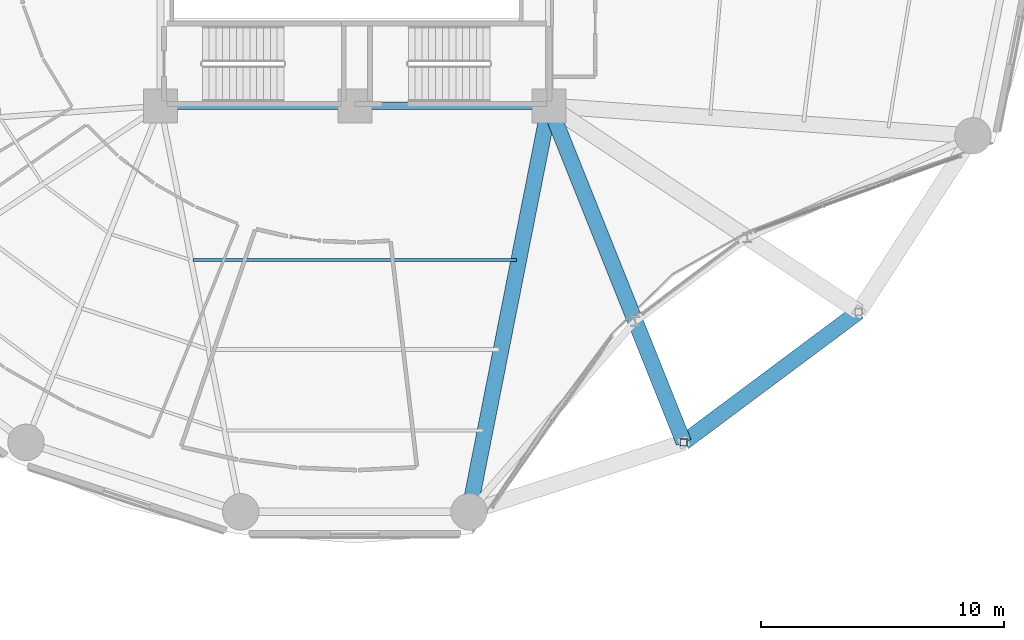
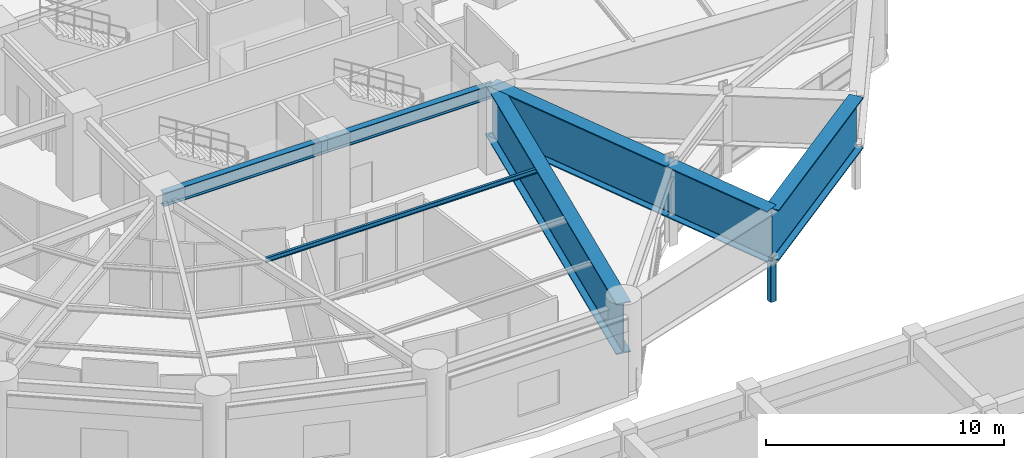
# One storey, part 21 of 53: 7 beams, 1 member.
"""IFC4 building model written with IfcOpenShell, lengths in metres."""

import ifcopenshell
import ifcopenshell.guid

model = None  # the IFC model being written
_history = None  # IfcOwnerHistory: only IFC2X3 demands one
_inside = {}  # id of a spatial element -> (the spatial element, [elements in it])
_under = {}  # id of a project, library or spatial element -> (it, [spatial elements below it])
_declared = {}  # id of a project -> (the project, [libraries it declares])
_typed = {}  # id of a type object -> (the type object, [elements of that type])
_made_of = {}  # id of a material, layer set ... -> (it, [elements and type objects made of it])


def new_model(schema):
    """Start an empty IFC model of exactly this schema.

    Asked for "IFC4X3", IfcOpenShell would pick the latest addendum, in which some entities
    have other attributes; the version numbers below select the first issue.
    IFC2X3 requires an IfcOwnerHistory on every rooted entity: one is made here for all.
    """
    global model, _history
    if schema == "IFC4X3":
        model = ifcopenshell.file(schema_version=(4, 3, 0, 0))
    else:
        model = ifcopenshell.file(schema=schema)
    _inside.clear()
    _under.clear()
    _declared.clear()
    _typed.clear()
    _made_of.clear()
    _history = None
    if model.schema == "IFC2X3":
        org = make("IfcOrganization", Name="unknown")
        user = make(
            "IfcPersonAndOrganization",
            ThePerson=make("IfcPerson", FamilyName="unknown"),
            TheOrganization=org,
        )
        app = make(
            "IfcApplication",
            ApplicationDeveloper=org,
            Version="unknown",
            ApplicationFullName="unknown",
            ApplicationIdentifier="unknown",
        )
        _history = make(
            "IfcOwnerHistory",
            OwningUser=user,
            OwningApplication=app,
            ChangeAction="ADDED",
            CreationDate=0,
        )
    return model


def make(cls, **values):
    """One entity of the class cls with the attributes given. An attribute that is None is left unset."""
    return model.create_entity(
        cls, **{name: value for name, value in values.items() if value is not None}
    )


def rooted(cls, **values):
    """An entity with a GlobalId (a new one), such as an element, a storey or a relation."""
    return make(cls, GlobalId=ifcopenshell.guid.new(), OwnerHistory=_history, **values)


def si_unit(unit_type, name, prefix=None):
    """IfcSIUnit, for example si_unit("LENGTHUNIT", "METRE", prefix="MILLI")."""
    return make("IfcSIUnit", UnitType=unit_type, Prefix=prefix, Name=name)


def assignment(units):
    """IfcUnitAssignment: the units of a project."""
    return None if units is None else make("IfcUnitAssignment", Units=units)


def point(xyz):
    """IfcCartesianPoint."""
    return None if xyz is None else make("IfcCartesianPoint", Coordinates=xyz)


def direction(xyz):
    """IfcDirection."""
    return None if xyz is None else make("IfcDirection", DirectionRatios=xyz)


def frame(location, z_axis=None, x_axis=None):
    """IfcAxis2Placement3D, a coordinate frame: its origin and axes. An axis left out is left unset."""
    return make(
        "IfcAxis2Placement3D",
        Location=point(location),
        Axis=direction(z_axis),
        RefDirection=direction(x_axis),
    )


def frame_2d(location, x_axis=None):
    """IfcAxis2Placement2D, a coordinate frame in the plane: its origin and x axis."""
    return make(
        "IfcAxis2Placement2D", Location=point(location), RefDirection=direction(x_axis)
    )


def origin():
    """The frame at (0, 0, 0) with its axes left unset."""
    return frame((0.0, 0.0, 0.0))


def origin_2d():
    """The frame at (0, 0) in the plane with its x axis left unset."""
    return frame_2d((0.0, 0.0))


def place(relative_to, where):
    """IfcLocalPlacement: puts the frame where relative to a parent placement (None: the world)."""
    return make(
        "IfcLocalPlacement", PlacementRelTo=relative_to, RelativePlacement=where
    )


def context(
    kind, dimensions, precision=None, world=None, true_north=None, identifier=None
):
    """IfcGeometricRepresentationContext, for example the 3D "Model" context."""
    return make(
        "IfcGeometricRepresentationContext",
        ContextIdentifier=identifier,
        ContextType=kind,
        CoordinateSpaceDimension=dimensions,
        Precision=precision,
        WorldCoordinateSystem=world,
        TrueNorth=true_north,
    )


def subcontext(parent, identifier, kind, view, scale=None):
    """IfcGeometricRepresentationSubContext, for example "Body" below "Model"."""
    return make(
        "IfcGeometricRepresentationSubContext",
        ContextIdentifier=identifier,
        ContextType=kind,
        ParentContext=parent,
        TargetScale=scale,
        TargetView=view,
    )


def project(units=None, contexts=None):
    """IfcProject with its units and contexts."""
    return rooted(
        "IfcProject",
        Name="project",
        RepresentationContexts=contexts,
        UnitsInContext=assignment(units),
    )


def spatial(cls, under=None, at=None, **own):
    """A site, building, storey or space (cls), placed at a placement, below another one or the project."""
    s = rooted(cls, ObjectPlacement=at, **own)
    if under is not None:
        _under.setdefault(under.id(), (under, []))[1].append(s)
    return s


def profile(cls, at=None, kind="AREA", **sizes):
    """A parametric profile (cls). Its sizes go by their IFC names, for example OverallWidth=200.0."""
    return make(cls, ProfileType=kind, Position=at, **sizes)


def hollow_rectangle(**sizes):
    """IfcRectangleHollowProfileDef."""
    return profile("IfcRectangleHollowProfileDef", **sizes)


def i_section(**sizes):
    """IfcIShapeProfileDef."""
    return profile("IfcIShapeProfileDef", **sizes)


def extrude(swept, where, along, depth):
    """IfcExtrudedAreaSolid: the profile swept, set in the frame where, extruded along a direction by depth."""
    return make(
        "IfcExtrudedAreaSolid",
        SweptArea=swept,
        Position=where,
        ExtrudedDirection=direction(along),
        Depth=depth,
    )


def shape(context_of_items, identifier, shape_type, items):
    """IfcShapeRepresentation: the items that make up one representation, for example the "Body"."""
    return make(
        "IfcShapeRepresentation",
        ContextOfItems=context_of_items,
        RepresentationIdentifier=identifier,
        RepresentationType=shape_type,
        Items=items,
    )


def material(Name=None, Category=None):
    """IfcMaterial."""
    return make("IfcMaterial", Name=Name, Category=Category)


def material_profile(
    of_material, cross_section, Name=None, Category=None, Priority=None
):
    """IfcMaterialProfile: a cross section and its material."""
    return make(
        "IfcMaterialProfile",
        Name=Name,
        Material=of_material,
        Profile=cross_section,
        Priority=Priority,
        Category=Category,
    )


def profile_set(profiles, Name=None, composite=None):
    """IfcMaterialProfileSet."""
    return make(
        "IfcMaterialProfileSet",
        Name=Name,
        MaterialProfiles=profiles,
        CompositeProfile=composite,
    )


def made_of(thing, what):
    """Note that an element or type object is made of a material, layer set ...; save() writes the relation."""
    if what is not None:
        _made_of.setdefault(what.id(), (what, []))[1].append(thing)
    return thing


def type_object(cls, material=None, **own):
    """A type object (cls), such as IfcWallType, which elements share."""
    return made_of(rooted(cls, **own), material)


def element(
    cls,
    number,
    at=None,
    inside=None,
    cuts=None,
    type_object=None,
    material=None,
    context=None,
    identifier="Body",
    shape_type=None,
    held_by="IfcProductDefinitionShape",
    body=None,
    shapes=None,
    **own,
):
    """One element of the class cls, such as IfcWall. Its Tag is "e" and its number.

    at: its placement. inside: the storey or other place that contains it. cuts: it is an
    opening in that element (IfcRelVoidsElement). A single representation is given by context,
    identifier, shape_type and body (its items); several are given by shapes. held_by: the class
    of the entity that holds the representations. save() writes the other relations.
    """
    e = rooted(cls, Tag="e%d" % number, ObjectPlacement=at, **own)
    if body is not None:
        shapes = [shape(context, identifier, shape_type, body)]
    if shapes is not None:
        e.Representation = make(held_by, Representations=shapes)
    if inside is not None:
        _inside.setdefault(inside.id(), (inside, []))[1].append(e)
    if cuts is not None:
        rooted(
            "IfcRelVoidsElement", RelatingBuildingElement=cuts, RelatedOpeningElement=e
        )
    if type_object is not None:
        _typed.setdefault(type_object.id(), (type_object, []))[1].append(e)
    return made_of(e, material)


def aggregate(whole, parts):
    """IfcRelAggregates: a whole, such as a stair, and the parts it consists of."""
    return rooted("IfcRelAggregates", RelatingObject=whole, RelatedObjects=parts)


def save(model, path):
    """Write the relations noted so far, then the file.

    IfcRelAggregates (storeys below a building ...), IfcRelContainedInSpatialStructure (elements
    in a storey), IfcRelDefinesByType, IfcRelAssociatesMaterial and IfcRelDeclares: one each for
    every whole, place, type object, material and project.
    """
    for whole, parts in _under.values():
        aggregate(whole, parts)
    for where, things in _inside.values():
        rooted(
            "IfcRelContainedInSpatialStructure",
            RelatedElements=things,
            RelatingStructure=where,
        )
    for kind, things in _typed.values():
        rooted("IfcRelDefinesByType", RelatedObjects=things, RelatingType=kind)
    for what, things in _made_of.values():
        rooted("IfcRelAssociatesMaterial", RelatedObjects=things, RelatingMaterial=what)
    for by, libraries in _declared.values():
        rooted("IfcRelDeclares", RelatingContext=by, RelatedDefinitions=libraries)
    model.write(path)


model = new_model("IFC4")

# Units and contexts
model_context = context("Model", 3, precision=1e-05, world=origin(), true_north=direction((0.0, 1.0)))
body_context = subcontext(model_context, "Body", "Model", "MODEL_VIEW")
ifc_project = project(units=[si_unit("LENGTHUNIT", "METRE"), si_unit("AREAUNIT", "SQUARE_METRE"), si_unit("VOLUMEUNIT", "CUBIC_METRE"), si_unit("PLANEANGLEUNIT", "RADIAN"), si_unit("MASSUNIT", "GRAM", prefix="KILO")], contexts=[model_context])

# Site, building, storey
site_placement = place(None, origin())
site = spatial("IfcSite", under=ifc_project, at=site_placement, CompositionType="ELEMENT")
building_placement = place(site_placement, origin())
building = spatial("IfcBuilding", under=site, at=building_placement, Name="Kelanora Arch Commons", CompositionType="ELEMENT")
storey_placement = place(building_placement, frame((0.0, 0.0, 9.0)))
storey = spatial("IfcBuildingStorey", under=building, at=storey_placement, Name="L02", CompositionType="ELEMENT", Elevation=9.0)

# Beams
ifc_material = material(Name="Steel S355", Category="steel")
ifc_material_profile_1 = material_profile(ifc_material, i_section(OverallWidth=0.300048828125, OverallDepth=0.699951171875, WebThickness=0.01708984375, FlangeThickness=0.031982421875, FilletRadius=0.027099609375, at=origin_2d()), Name="HEB700")
ifc_profile_set_1 = profile_set([ifc_material_profile_1], Name="Steel S355")
beam_type_1 = type_object("IfcBeamType", Name="BM-CORE-HDR", PredefinedType="BEAM", material=ifc_profile_set_1)
for number, where, z_axis, x_axis, name in (
    (1, (66.0, 51.0, 3.75), (1.0, 0.0, 0.0), (0.0, 1.0, 0.0), "Core Header Beam 01 L02"),
    (2, (74.0, 51.0, 3.75), (1.0, 0.0, 0.0), (0.0, 1.0, 0.0), "Core Header Beam 02 L02"),
):
    element("IfcBeam", number, at=place(storey_placement, frame(where, z_axis=z_axis, x_axis=x_axis)), inside=storey, type_object=beam_type_1, Name=name, PredefinedType="BEAM", context=body_context, shape_type="SweptSolid", body=[
        extrude(i_section(OverallWidth=0.300048828125, OverallDepth=0.699951171875, WebThickness=0.01708984375, FlangeThickness=0.031982421875, FilletRadius=0.027099609375, at=origin_2d()), origin(), (0.0, 0.0, 1.0), 8.0),
    ])
ifc_material_profile_2 = material_profile(ifc_material, i_section(OverallWidth=0.1201171875, OverallDepth=0.239990234375, WebThickness=0.006103515625, FlangeThickness=0.009765625, FilletRadius=0.014892578125, at=origin_2d()), Name="IPE240")
ifc_profile_set_2 = profile_set([ifc_material_profile_2], Name="Steel S355")
beam_type_2 = type_object("IfcBeamType", Name="BM-JST-02", PredefinedType="JOIST", material=ifc_profile_set_2)
beam_1_placement = place(storey_placement, frame((67.338134765625, 44.648681640625, 3.97998046875), z_axis=(1.0, 0.0, 0.0), x_axis=(0.0, 1.0, 0.0)))
element("IfcBeam", 3, at=beam_1_placement, inside=storey, type_object=beam_type_2, Name="Secondary Chord Joist BJA-26 L02", PredefinedType="JOIST", context=body_context, shape_type="SweptSolid", body=[
    extrude(i_section(OverallWidth=0.1201171875, OverallDepth=0.239990234375, WebThickness=0.006103515625, FlangeThickness=0.009765625, FilletRadius=0.014892578125, at=origin_2d()), origin(), (0.0, 0.0, 1.0), 13.32373046875),
])
ifc_material_profile_3 = material_profile(ifc_material, i_section(OverallWidth=0.64990234375, OverallDepth=2.60009765625, WebThickness=0.034912109375, FlangeThickness=0.054931640625, FilletRadius=0.028076171875, at=origin_2d()), Name="PG2600x650")
ifc_profile_set_3 = profile_set([ifc_material_profile_3], Name="Steel S355")
beam_type_3 = type_object("IfcBeamType", Name="BM-XFER-ARCH", PredefinedType="USERDEFINED", material=ifc_profile_set_3)
beam_2_placement = place(storey_placement, frame((82.0, 51.0, 2.800048828125), z_axis=(-0.19356352044, -0.981087745084, 0.0), x_axis=(0.981087745084, -0.19356352044, 0.0)))
element("IfcBeam", 4, at=beam_2_placement, inside=storey, type_object=beam_type_3, Name="Radial Floor Girder BR-28 L02", ObjectType="TRANSFER_GIRDER", PredefinedType="USERDEFINED", context=body_context, shape_type="SweptSolid", body=[
    extrude(i_section(OverallWidth=0.64990234375, OverallDepth=2.60009765625, WebThickness=0.034912109375, FlangeThickness=0.054931640625, FilletRadius=0.028076171875, at=origin_2d()), origin(), (0.0, 0.0, 1.0), 17.036376953125),
])
beam_3_placement = place(storey_placement, frame((82.0, 51.0, 2.800048828125), z_axis=(0.371306921468, -0.928510188458, 0.0), x_axis=(0.928510188458, 0.371306921468, 0.0)))
element("IfcBeam", 5, at=beam_3_placement, inside=storey, type_object=beam_type_3, Name="Radial Inner Transfer Girder BRI-30 L02", ObjectType="TRANSFER_GIRDER", PredefinedType="USERDEFINED", context=body_context, shape_type="SweptSolid", body=[
    extrude(i_section(OverallWidth=0.64990234375, OverallDepth=2.60009765625, WebThickness=0.034912109375, FlangeThickness=0.054931640625, FilletRadius=0.028076171875, at=origin_2d()), origin(), (0.0, 0.0, 1.0), 9.549072265625),
])
beam_4_placement = place(storey_placement, frame((85.545654296875, 42.133544921875, 2.800048828125), z_axis=(0.371288801302, -0.928517434423, 0.0), x_axis=(0.928517434423, 0.371288801302, 0.0)))
element("IfcBeam", 6, at=beam_4_placement, inside=storey, type_object=beam_type_3, Name="Radial Floor Girder BR-30 L02", ObjectType="TRANSFER_GIRDER", PredefinedType="USERDEFINED", context=body_context, shape_type="SweptSolid", body=[
    extrude(i_section(OverallWidth=0.64990234375, OverallDepth=2.60009765625, WebThickness=0.034912109375, FlangeThickness=0.054931640625, FilletRadius=0.028076171875, at=origin_2d()), origin(), (0.0, 0.0, 1.0), 5.37158203125),
])
beam_5_placement = place(storey_placement, frame((87.5400390625, 37.14599609375, 2.800048828125), z_axis=(0.801467504127, 0.598038326388, 0.0), x_axis=(-0.598038326388, 0.801467504127, 0.0)))
element("IfcBeam", 7, at=beam_5_placement, inside=storey, type_object=beam_type_3, Name="Perimeter Spandrel Beam BS-30 L02", ObjectType="TRANSFER_GIRDER", PredefinedType="USERDEFINED", context=body_context, shape_type="SweptSolid", body=[
    extrude(i_section(OverallWidth=0.64990234375, OverallDepth=2.60009765625, WebThickness=0.034912109375, FlangeThickness=0.054931640625, FilletRadius=0.028076171875, at=origin_2d()), origin(), (0.0, 0.0, 1.0), 8.989013671875),
])

# Member
ifc_material_profile_4 = material_profile(ifc_material, hollow_rectangle(XDim=0.300048828125, YDim=0.300048828125, WallThickness=0.01611328125, InnerFilletRadius=0.01611328125, OuterFilletRadius=0.031982421875, at=origin_2d()), Name="SHS300x300x16")
ifc_profile_set_4 = profile_set([ifc_material_profile_4], Name="Steel S355")
member_type = type_object("IfcMemberType", Name="MEM-ARCH-SPND", PredefinedType="STRUT", material=ifc_profile_set_4)
member_placement = place(storey_placement, frame((87.5400390625, 37.14599609375, -0.60009765625), z_axis=(0.0, 0.0, 1.0), x_axis=(1.0, 0.0, 0.0)))
element("IfcMember", 8, at=member_placement, inside=storey, type_object=member_type, Name="Courtyard Portal Spandrel Strut 30", PredefinedType="STRUT", context=body_context, shape_type="SweptSolid", body=[
    extrude(hollow_rectangle(XDim=0.300048828125, YDim=0.300048828125, WallThickness=0.01611328125, InnerFilletRadius=0.01611328125, OuterFilletRadius=0.031982421875, at=origin_2d()), origin(), (0.0, 0.0, 1.0), 2.14013671875),
])

save(model, "model.ifc")
